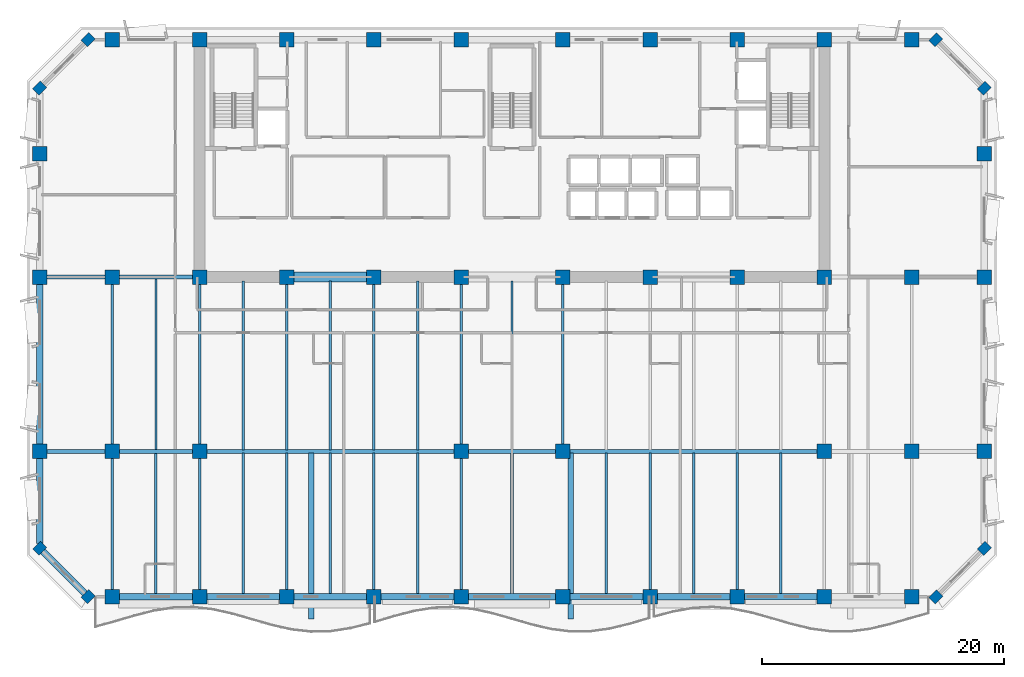
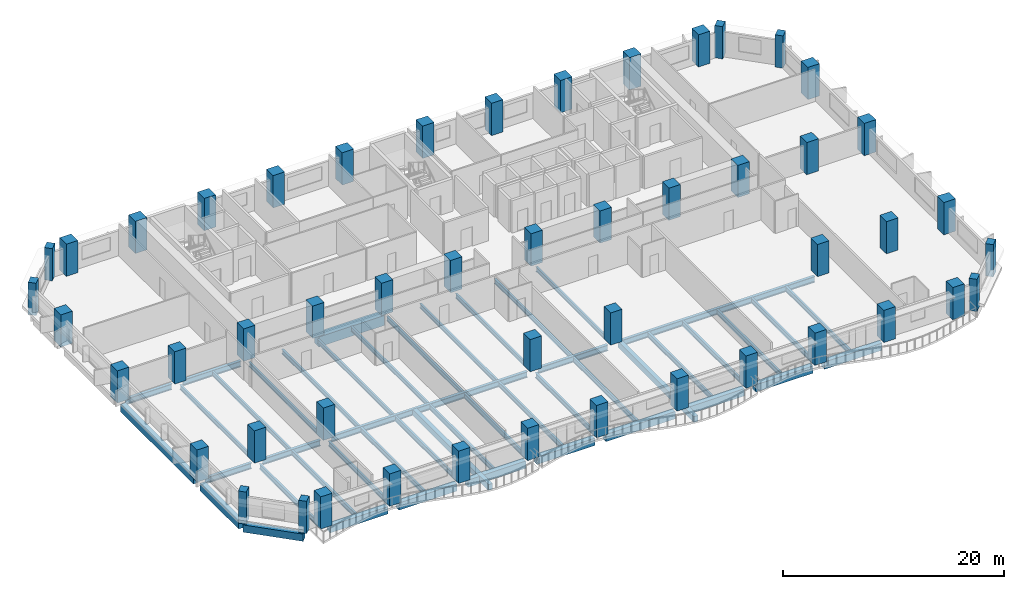
# One storey, part 1 of 14: 50 columns, 47 beams.
"""IFC4 building model written with IfcOpenShell, lengths in metres."""

from ifc_helpers import new_model, si_unit, direction, frame, origin, origin_2d, place, context, subcontext, project, spatial, rectangle, i_section, extrude, material, material_profile, profile_set, type_object, element, save


model = new_model("IFC4")

# Units and contexts
model_context = context("Model", 3, precision=1e-05, world=origin(), true_north=direction((0.0, 1.0)))
body_context = subcontext(model_context, "Body", "Model", "MODEL_VIEW")
ifc_project = project(units=[si_unit("LENGTHUNIT", "METRE"), si_unit("AREAUNIT", "SQUARE_METRE"), si_unit("VOLUMEUNIT", "CUBIC_METRE"), si_unit("PLANEANGLEUNIT", "RADIAN"), si_unit("MASSUNIT", "GRAM", prefix="KILO")], contexts=[model_context])

# Site, building, storey
site_placement = place(None, origin())
site = spatial("IfcSite", under=ifc_project, at=site_placement, CompositionType="ELEMENT")
building_placement = place(site_placement, origin())
building = spatial("IfcBuilding", under=site, at=building_placement, Name="Kaelvorn Grand Hotel", CompositionType="ELEMENT")
storey_placement = place(building_placement, frame((0.0, 0.0, 216.75)))
storey = spatial("IfcBuildingStorey", under=building, at=storey_placement, Name="L53", CompositionType="ELEMENT", Elevation=216.75)

# Columns
ifc_material_1 = material(Name="Concrete C60/75", Category="concrete")
ifc_material_profile_1 = material_profile(ifc_material_1, rectangle(XDim=0.89990234375, YDim=0.75, at=origin_2d()), Name="RC PILASTER 900x750")
ifc_profile_set_1 = profile_set([ifc_material_profile_1], Name="Concrete C60/75")
column_type_1 = type_object("IfcColumnType", Name="COL-PIL-900x750-C60", PredefinedType="PILASTER", material=ifc_profile_set_1)
for number, where, z_axis, x_axis, name in (
    (1, (7.0, 3.0, 0.0), (0.0, 0.0, 1.0), (0.707106781187, 0.707106781187, 0.0), "L53 Structural Column CH-01"),
    (2, (77.0, 3.0, 0.0), (0.0, 0.0, 1.0), (0.707106781187, 0.707106781187, 0.0), "L53 Structural Column CH-02"),
    (3, (81.0, 7.0, 0.0), (0.0, 0.0, 1.0), (0.707106781187, 0.707106781187, 0.0), "L53 Structural Column CH-03"),
    (4, (81.0, 45.0, 0.0), (0.0, 0.0, 1.0), (0.707106781187, 0.707106781187, 0.0), "L53 Structural Column CH-04"),
    (5, (77.0, 49.0, 0.0), (0.0, 0.0, 1.0), (0.707106781187, 0.707106781187, 0.0), "L53 Structural Column CH-05"),
    (6, (7.0, 49.0, 0.0), (0.0, 0.0, 1.0), (0.707106781187, 0.707106781187, 0.0), "L53 Structural Column CH-06"),
    (7, (3.0, 45.0, 0.0), (0.0, 0.0, 1.0), (0.707106781187, 0.707106781187, 0.0), "L53 Structural Column CH-07"),
    (8, (3.0, 7.0, 0.0), (0.0, 0.0, 1.0), (0.707106781187, 0.707106781187, 0.0), "L53 Structural Column CH-08"),
):
    element("IfcColumn", number, at=place(storey_placement, frame(where, z_axis=z_axis, x_axis=x_axis)), inside=storey, type_object=column_type_1, Name=name, PredefinedType="PILASTER", context=body_context, shape_type="SweptSolid", body=[
        extrude(rectangle(XDim=0.89990234375, YDim=0.75, at=origin_2d()), origin(), (0.0, 0.0, 1.0), 3.56005859375),
    ])
ifc_material_profile_2 = material_profile(ifc_material_1, rectangle(XDim=1.199951171875, YDim=1.199951171875, at=origin_2d()), Name="RC COL 1200x1200")
ifc_profile_set_2 = profile_set([ifc_material_profile_2], Name="Concrete C60/75")
column_type_2 = type_object("IfcColumnType", Name="COL-RC-1200-C60", PredefinedType="COLUMN", material=ifc_profile_set_2)
for number, where, z_axis, x_axis, name in (
    (9, (9.0, 3.0, 0.0), (0.0, 0.0, 1.0), (1.0, 0.0, 0.0), "L53 Structural Column S-01"),
    (10, (16.199951171875, 3.0, 0.0), (0.0, 0.0, 1.0), (1.0, 0.0, 0.0), "L53 Structural Column S-02"),
    (11, (23.39990234375, 3.0, 0.0), (0.0, 0.0, 1.0), (1.0, 0.0, 0.0), "L53 Structural Column S-03"),
    (12, (30.60009765625, 3.0, 0.0), (0.0, 0.0, 1.0), (1.0, 0.0, 0.0), "L53 Structural Column S-04"),
    (13, (37.800048828125, 3.0, 0.0), (0.0, 0.0, 1.0), (1.0, 0.0, 0.0), "L53 Structural Column S-05"),
    (14, (46.199951171875, 3.0, 0.0), (0.0, 0.0, 1.0), (1.0, 0.0, 0.0), "L53 Structural Column S-06"),
    (15, (53.39990234375, 3.0, 0.0), (0.0, 0.0, 1.0), (1.0, 0.0, 0.0), "L53 Structural Column S-07"),
    (16, (60.60009765625, 3.0, 0.0), (0.0, 0.0, 1.0), (1.0, 0.0, 0.0), "L53 Structural Column S-08"),
    (17, (67.800048828125, 3.0, 0.0), (0.0, 0.0, 1.0), (1.0, 0.0, 0.0), "L53 Structural Column S-09"),
    (18, (75.0, 3.0, 0.0), (0.0, 0.0, 1.0), (1.0, 0.0, 0.0), "L53 Structural Column S-10"),
    (19, (3.0, 15.0, 0.0), (0.0, 0.0, 1.0), (1.0, 0.0, 0.0), "L53 Structural Column W-01"),
    (20, (81.0, 15.0, 0.0), (0.0, 0.0, 1.0), (1.0, 0.0, 0.0), "L53 Structural Column E-01"),
    (21, (3.0, 29.39990234375, 0.0), (0.0, 0.0, 1.0), (1.0, 0.0, 0.0), "L53 Structural Column W-02"),
    (22, (81.0, 29.39990234375, 0.0), (0.0, 0.0, 1.0), (1.0, 0.0, 0.0), "L53 Structural Column E-02"),
    (23, (3.0, 39.60009765625, 0.0), (0.0, 0.0, 1.0), (1.0, 0.0, 0.0), "L53 Structural Column W-03"),
    (24, (81.0, 39.60009765625, 0.0), (0.0, 0.0, 1.0), (1.0, 0.0, 0.0), "L53 Structural Column E-03"),
    (25, (9.0, 15.0, 0.0), (0.0, 0.0, 1.0), (1.0, 0.0, 0.0), "L53 Structural Column M-01"),
    (26, (16.199951171875, 15.0, 0.0), (0.0, 0.0, 1.0), (1.0, 0.0, 0.0), "L53 Structural Column M-02"),
    (27, (37.800048828125, 15.0, 0.0), (0.0, 0.0, 1.0), (1.0, 0.0, 0.0), "L53 Structural Column M-03"),
    (28, (46.199951171875, 15.0, 0.0), (0.0, 0.0, 1.0), (1.0, 0.0, 0.0), "L53 Structural Column M-04"),
    (29, (67.800048828125, 15.0, 0.0), (0.0, 0.0, 1.0), (1.0, 0.0, 0.0), "L53 Structural Column M-05"),
    (30, (75.0, 15.0, 0.0), (0.0, 0.0, 1.0), (1.0, 0.0, 0.0), "L53 Structural Column M-06"),
    (31, (9.0, 29.39990234375, 0.0), (0.0, 0.0, 1.0), (1.0, 0.0, 0.0), "L53 Structural Column CR1-01"),
    (32, (9.0, 49.0, 0.0), (0.0, 0.0, 1.0), (1.0, 0.0, 0.0), "L53 Structural Column CR2-01"),
    (33, (16.199951171875, 29.39990234375, 0.0), (0.0, 0.0, 1.0), (1.0, 0.0, 0.0), "L53 Structural Column CR1-02"),
    (34, (16.199951171875, 49.0, 0.0), (0.0, 0.0, 1.0), (1.0, 0.0, 0.0), "L53 Structural Column CR2-02"),
    (35, (23.39990234375, 29.39990234375, 0.0), (0.0, 0.0, 1.0), (1.0, 0.0, 0.0), "L53 Structural Column CR1-03"),
    (36, (23.39990234375, 49.0, 0.0), (0.0, 0.0, 1.0), (1.0, 0.0, 0.0), "L53 Structural Column CR2-03"),
    (37, (30.60009765625, 29.39990234375, 0.0), (0.0, 0.0, 1.0), (1.0, 0.0, 0.0), "L53 Structural Column CR1-04"),
    (38, (30.60009765625, 49.0, 0.0), (0.0, 0.0, 1.0), (1.0, 0.0, 0.0), "L53 Structural Column CR2-04"),
    (39, (37.800048828125, 29.39990234375, 0.0), (0.0, 0.0, 1.0), (1.0, 0.0, 0.0), "L53 Structural Column CR1-05"),
    (40, (37.800048828125, 49.0, 0.0), (0.0, 0.0, 1.0), (1.0, 0.0, 0.0), "L53 Structural Column CR2-05"),
    (41, (46.199951171875, 29.39990234375, 0.0), (0.0, 0.0, 1.0), (1.0, 0.0, 0.0), "L53 Structural Column CR1-06"),
    (42, (46.199951171875, 49.0, 0.0), (0.0, 0.0, 1.0), (1.0, 0.0, 0.0), "L53 Structural Column CR2-06"),
    (43, (53.39990234375, 29.39990234375, 0.0), (0.0, 0.0, 1.0), (1.0, 0.0, 0.0), "L53 Structural Column CR1-07"),
    (44, (53.39990234375, 49.0, 0.0), (0.0, 0.0, 1.0), (1.0, 0.0, 0.0), "L53 Structural Column CR2-07"),
    (45, (60.60009765625, 29.39990234375, 0.0), (0.0, 0.0, 1.0), (1.0, 0.0, 0.0), "L53 Structural Column CR1-08"),
    (46, (60.60009765625, 49.0, 0.0), (0.0, 0.0, 1.0), (1.0, 0.0, 0.0), "L53 Structural Column CR2-08"),
    (47, (67.800048828125, 29.39990234375, 0.0), (0.0, 0.0, 1.0), (1.0, 0.0, 0.0), "L53 Structural Column CR1-09"),
    (48, (67.800048828125, 49.0, 0.0), (0.0, 0.0, 1.0), (1.0, 0.0, 0.0), "L53 Structural Column CR2-09"),
    (49, (75.0, 29.39990234375, 0.0), (0.0, 0.0, 1.0), (1.0, 0.0, 0.0), "L53 Structural Column CR1-10"),
    (50, (75.0, 49.0, 0.0), (0.0, 0.0, 1.0), (1.0, 0.0, 0.0), "L53 Structural Column CR2-10"),
):
    element("IfcColumn", number, at=place(storey_placement, frame(where, z_axis=z_axis, x_axis=x_axis)), inside=storey, type_object=column_type_2, Name=name, PredefinedType="COLUMN", context=body_context, shape_type="SweptSolid", body=[
        extrude(rectangle(XDim=1.199951171875, YDim=1.199951171875, at=origin_2d()), origin(), (0.0, 0.0, 1.0), 3.56005859375),
    ])

# Beams
ifc_material_2 = material(Name="Steel S355", Category="steel")
ifc_material_profile_3 = material_profile(ifc_material_2, i_section(OverallWidth=0.300048828125, OverallDepth=0.64990234375, WebThickness=0.01611328125, FlangeThickness=0.031005859375, FilletRadius=0.027099609375, at=origin_2d()), Name="HEB 650")
ifc_profile_set_3 = profile_set([ifc_material_profile_3], Name="Steel S355")
beam_type_1 = type_object("IfcBeamType", Name="BM-G-HEB650-S355", PredefinedType="BEAM", material=ifc_profile_set_3)
beam_1_placement = place(storey_placement, frame((3.5849609375, 15.0, -0.56494140625), z_axis=(1.0, 0.0, 0.0), x_axis=(0.0, 1.0, 0.0)))
element("IfcBeam", 51, at=beam_1_placement, inside=storey, type_object=beam_type_1, Name="L53 Primary Spine Steel Girder G-15 01", PredefinedType="BEAM", context=body_context, shape_type="SweptSolid", body=[
    extrude(i_section(OverallWidth=0.300048828125, OverallDepth=0.64990234375, WebThickness=0.01611328125, FlangeThickness=0.031005859375, FilletRadius=0.027099609375, at=origin_2d()), origin(), (0.0, 0.0, 1.0), 4.830078125),
])
beam_2_placement = place(storey_placement, frame((9.5849609375, 15.0, -0.56494140625), z_axis=(1.0, 0.0, 0.0), x_axis=(0.0, 1.0, 0.0)))
element("IfcBeam", 52, at=beam_2_placement, inside=storey, type_object=beam_type_1, Name="L53 Primary Spine Steel Girder G-15 02", PredefinedType="BEAM", context=body_context, shape_type="SweptSolid", body=[
    extrude(i_section(OverallWidth=0.300048828125, OverallDepth=0.64990234375, WebThickness=0.01611328125, FlangeThickness=0.031005859375, FilletRadius=0.027099609375, at=origin_2d()), origin(), (0.0, 0.0, 1.0), 6.030029296875),
])
beam_3_placement = place(storey_placement, frame((16.784912109375, 15.0, -0.56494140625), z_axis=(1.0, 0.0, 0.0), x_axis=(0.0, 1.0, 0.0)))
element("IfcBeam", 53, at=beam_3_placement, inside=storey, type_object=beam_type_1, Name="L53 Primary Spine Steel Girder G-15 03", PredefinedType="BEAM", context=body_context, shape_type="SweptSolid", body=[
    extrude(i_section(OverallWidth=0.300048828125, OverallDepth=0.64990234375, WebThickness=0.01611328125, FlangeThickness=0.031005859375, FilletRadius=0.027099609375, at=origin_2d()), origin(), (0.0, 0.0, 1.0), 20.43017578125),
])
beam_4_placement = place(storey_placement, frame((38.385009765625, 15.0, -0.56494140625), z_axis=(1.0, 0.0, 0.0), x_axis=(0.0, 1.0, 0.0)))
element("IfcBeam", 54, at=beam_4_placement, inside=storey, type_object=beam_type_1, Name="L53 Primary Spine Steel Girder G-15 04", PredefinedType="BEAM", context=body_context, shape_type="SweptSolid", body=[
    extrude(i_section(OverallWidth=0.300048828125, OverallDepth=0.64990234375, WebThickness=0.01611328125, FlangeThickness=0.031005859375, FilletRadius=0.027099609375, at=origin_2d()), origin(), (0.0, 0.0, 1.0), 7.22998046875),
])
beam_5_placement = place(storey_placement, frame((46.784912109375, 15.0, -0.56494140625), z_axis=(1.0, 0.0, 0.0), x_axis=(0.0, 1.0, 0.0)))
element("IfcBeam", 55, at=beam_5_placement, inside=storey, type_object=beam_type_1, Name="L53 Primary Spine Steel Girder G-15 05", PredefinedType="BEAM", context=body_context, shape_type="SweptSolid", body=[
    extrude(i_section(OverallWidth=0.300048828125, OverallDepth=0.64990234375, WebThickness=0.01611328125, FlangeThickness=0.031005859375, FilletRadius=0.027099609375, at=origin_2d()), origin(), (0.0, 0.0, 1.0), 20.43017578125),
])
beam_6_placement = place(storey_placement, frame((3.5849609375, 29.39990234375, -0.56494140625), z_axis=(1.0, 0.0, 0.0), x_axis=(0.0, 1.0, 0.0)))
element("IfcBeam", 56, at=beam_6_placement, inside=storey, type_object=beam_type_1, Name="L53 West Core Wing Steel Girder G-29W 01", PredefinedType="BEAM", context=body_context, shape_type="SweptSolid", body=[
    extrude(i_section(OverallWidth=0.300048828125, OverallDepth=0.64990234375, WebThickness=0.01611328125, FlangeThickness=0.031005859375, FilletRadius=0.027099609375, at=origin_2d()), origin(), (0.0, 0.0, 1.0), 4.830078125),
])
beam_7_placement = place(storey_placement, frame((9.5849609375, 29.39990234375, -0.56494140625), z_axis=(1.0, 0.0, 0.0), x_axis=(0.0, 1.0, 0.0)))
element("IfcBeam", 57, at=beam_7_placement, inside=storey, type_object=beam_type_1, Name="L53 West Core Wing Steel Girder G-29W 02", PredefinedType="BEAM", context=body_context, shape_type="SweptSolid", body=[
    extrude(i_section(OverallWidth=0.300048828125, OverallDepth=0.64990234375, WebThickness=0.01611328125, FlangeThickness=0.031005859375, FilletRadius=0.027099609375, at=origin_2d()), origin(), (0.0, 0.0, 1.0), 6.030029296875),
])
ifc_material_profile_4 = material_profile(ifc_material_2, i_section(OverallWidth=0.199951171875, OverallDepth=0.5, WebThickness=0.01025390625, FlangeThickness=0.01611328125, FilletRadius=0.02099609375, at=origin_2d()), Name="IPE 500")
ifc_profile_set_4 = profile_set([ifc_material_profile_4], Name="Steel S355")
beam_type_2 = type_object("IfcBeamType", Name="BM-J-IPE500-S355", PredefinedType="JOIST", material=ifc_profile_set_4)
beam_8_placement = place(storey_placement, frame((9.0, 15.5849609375, -0.489990234375), z_axis=(0.0, 1.0, 0.0), x_axis=(-1.0, 0.0, 0.0)))
element("IfcBeam", 58, at=beam_8_placement, inside=storey, type_object=beam_type_2, Name="L53 Composite Floor Joist JM-03", PredefinedType="JOIST", context=body_context, shape_type="SweptSolid", body=[
    extrude(i_section(OverallWidth=0.199951171875, OverallDepth=0.5, WebThickness=0.01025390625, FlangeThickness=0.01611328125, FilletRadius=0.02099609375, at=origin_2d()), origin(), (0.0, 0.0, 1.0), 13.22998046875),
])
beam_9_placement = place(storey_placement, frame((12.60009765625, 15.135009765625, -0.489990234375), z_axis=(0.0, 1.0, 0.0), x_axis=(-1.0, 0.0, 0.0)))
element("IfcBeam", 59, at=beam_9_placement, inside=storey, type_object=beam_type_2, Name="L53 Composite Floor Joist JM-04", PredefinedType="JOIST", context=body_context, shape_type="SweptSolid", body=[
    extrude(i_section(OverallWidth=0.199951171875, OverallDepth=0.5, WebThickness=0.01025390625, FlangeThickness=0.01611328125, FilletRadius=0.02099609375, at=origin_2d()), origin(), (0.0, 0.0, 1.0), 14.1298828125),
])
beam_10_placement = place(storey_placement, frame((16.199951171875, 15.5849609375, -0.489990234375), z_axis=(0.0, 1.0, 0.0), x_axis=(-1.0, 0.0, 0.0)))
element("IfcBeam", 60, at=beam_10_placement, inside=storey, type_object=beam_type_2, Name="L53 Composite Floor Joist JM-05", PredefinedType="JOIST", context=body_context, shape_type="SweptSolid", body=[
    extrude(i_section(OverallWidth=0.199951171875, OverallDepth=0.5, WebThickness=0.01025390625, FlangeThickness=0.01611328125, FilletRadius=0.02099609375, at=origin_2d()), origin(), (0.0, 0.0, 1.0), 13.22998046875),
])
beam_11_placement = place(storey_placement, frame((19.800048828125, 15.135009765625, -0.489990234375), z_axis=(0.0, 1.0, 0.0), x_axis=(-1.0, 0.0, 0.0)))
element("IfcBeam", 61, at=beam_11_placement, inside=storey, type_object=beam_type_2, Name="L53 Composite Floor Joist JM-06", PredefinedType="JOIST", context=body_context, shape_type="SweptSolid", body=[
    extrude(i_section(OverallWidth=0.199951171875, OverallDepth=0.5, WebThickness=0.01025390625, FlangeThickness=0.01611328125, FilletRadius=0.02099609375, at=origin_2d()), origin(), (0.0, 0.0, 1.0), 13.925048828125),
])
beam_12_placement = place(storey_placement, frame((23.39990234375, 15.135009765625, -0.489990234375), z_axis=(0.0, 1.0, 0.0), x_axis=(-1.0, 0.0, 0.0)))
element("IfcBeam", 62, at=beam_12_placement, inside=storey, type_object=beam_type_2, Name="L53 Composite Floor Joist JM-07", PredefinedType="JOIST", context=body_context, shape_type="SweptSolid", body=[
    extrude(i_section(OverallWidth=0.199951171875, OverallDepth=0.5, WebThickness=0.01025390625, FlangeThickness=0.01611328125, FilletRadius=0.02099609375, at=origin_2d()), origin(), (0.0, 0.0, 1.0), 13.679931640625),
])
beam_13_placement = place(storey_placement, frame((27.0, 15.135009765625, -0.489990234375), z_axis=(0.0, 1.0, 0.0), x_axis=(-1.0, 0.0, 0.0)))
element("IfcBeam", 63, at=beam_13_placement, inside=storey, type_object=beam_type_2, Name="L53 Composite Floor Joist JM-08", PredefinedType="JOIST", context=body_context, shape_type="SweptSolid", body=[
    extrude(i_section(OverallWidth=0.199951171875, OverallDepth=0.5, WebThickness=0.01025390625, FlangeThickness=0.01611328125, FilletRadius=0.02099609375, at=origin_2d()), origin(), (0.0, 0.0, 1.0), 13.925048828125),
])
beam_14_placement = place(storey_placement, frame((30.60009765625, 15.135009765625, -0.489990234375), z_axis=(0.0, 1.0, 0.0), x_axis=(-1.0, 0.0, 0.0)))
element("IfcBeam", 64, at=beam_14_placement, inside=storey, type_object=beam_type_2, Name="L53 Composite Floor Joist JM-09", PredefinedType="JOIST", context=body_context, shape_type="SweptSolid", body=[
    extrude(i_section(OverallWidth=0.199951171875, OverallDepth=0.5, WebThickness=0.01025390625, FlangeThickness=0.01611328125, FilletRadius=0.02099609375, at=origin_2d()), origin(), (0.0, 0.0, 1.0), 13.679931640625),
])
beam_15_placement = place(storey_placement, frame((34.199951171875, 15.135009765625, -0.489990234375), z_axis=(0.0, 1.0, 0.0), x_axis=(-1.0, 0.0, 0.0)))
element("IfcBeam", 65, at=beam_15_placement, inside=storey, type_object=beam_type_2, Name="L53 Composite Floor Joist JM-10", PredefinedType="JOIST", context=body_context, shape_type="SweptSolid", body=[
    extrude(i_section(OverallWidth=0.199951171875, OverallDepth=0.5, WebThickness=0.01025390625, FlangeThickness=0.01611328125, FilletRadius=0.02099609375, at=origin_2d()), origin(), (0.0, 0.0, 1.0), 13.925048828125),
])
beam_16_placement = place(storey_placement, frame((37.800048828125, 15.5849609375, -0.489990234375), z_axis=(0.0, 1.0, 0.0), x_axis=(-1.0, 0.0, 0.0)))
element("IfcBeam", 66, at=beam_16_placement, inside=storey, type_object=beam_type_2, Name="L53 Composite Floor Joist JM-11", PredefinedType="JOIST", context=body_context, shape_type="SweptSolid", body=[
    extrude(i_section(OverallWidth=0.199951171875, OverallDepth=0.5, WebThickness=0.01025390625, FlangeThickness=0.01611328125, FilletRadius=0.02099609375, at=origin_2d()), origin(), (0.0, 0.0, 1.0), 13.22998046875),
])
beam_17_placement = place(storey_placement, frame((42.0, 15.135009765625, -0.489990234375), z_axis=(0.0, 1.0, 0.0), x_axis=(-1.0, 0.0, 0.0)))
element("IfcBeam", 67, at=beam_17_placement, inside=storey, type_object=beam_type_2, Name="L53 Composite Floor Joist JM-12", PredefinedType="JOIST", context=body_context, shape_type="SweptSolid", body=[
    extrude(i_section(OverallWidth=0.199951171875, OverallDepth=0.5, WebThickness=0.01025390625, FlangeThickness=0.01611328125, FilletRadius=0.02099609375, at=origin_2d()), origin(), (0.0, 0.0, 1.0), 13.925048828125),
])
beam_18_placement = place(storey_placement, frame((46.199951171875, 15.5849609375, -0.489990234375), z_axis=(0.0, 1.0, 0.0), x_axis=(-1.0, 0.0, 0.0)))
element("IfcBeam", 68, at=beam_18_placement, inside=storey, type_object=beam_type_2, Name="L53 Composite Floor Joist JM-13", PredefinedType="JOIST", context=body_context, shape_type="SweptSolid", body=[
    extrude(i_section(OverallWidth=0.199951171875, OverallDepth=0.5, WebThickness=0.01025390625, FlangeThickness=0.01611328125, FilletRadius=0.02099609375, at=origin_2d()), origin(), (0.0, 0.0, 1.0), 13.22998046875),
])
ifc_material_profile_5 = material_profile(ifc_material_2, i_section(OverallWidth=0.2099609375, OverallDepth=0.550048828125, WebThickness=0.010986328125, FlangeThickness=0.01708984375, FilletRadius=0.02392578125, at=origin_2d()), Name="IPE 550")
ifc_profile_set_5 = profile_set([ifc_material_profile_5], Name="Steel S355")
beam_type_3 = type_object("IfcBeamType", Name="BM-J-IPE550-S355", PredefinedType="JOIST", material=ifc_profile_set_5)
beam_19_placement = place(storey_placement, frame((9.0, 3.5849609375, -0.514892578125), z_axis=(0.0, 1.0, 0.0), x_axis=(-1.0, 0.0, 0.0)))
element("IfcBeam", 69, at=beam_19_placement, inside=storey, type_object=beam_type_3, Name="L53 Composite Floor Joist JS-03", PredefinedType="JOIST", context=body_context, shape_type="SweptSolid", body=[
    extrude(i_section(OverallWidth=0.2099609375, OverallDepth=0.550048828125, WebThickness=0.010986328125, FlangeThickness=0.01708984375, FilletRadius=0.02392578125, at=origin_2d()), origin(), (0.0, 0.0, 1.0), 10.830078125),
])
beam_20_placement = place(storey_placement, frame((12.60009765625, 3.260009765625, -0.514892578125), z_axis=(0.0, 1.0, 0.0), x_axis=(-1.0, 0.0, 0.0)))
element("IfcBeam", 70, at=beam_20_placement, inside=storey, type_object=beam_type_3, Name="L53 Composite Floor Joist JS-04", PredefinedType="JOIST", context=body_context, shape_type="SweptSolid", body=[
    extrude(i_section(OverallWidth=0.2099609375, OverallDepth=0.550048828125, WebThickness=0.010986328125, FlangeThickness=0.01708984375, FilletRadius=0.02392578125, at=origin_2d()), origin(), (0.0, 0.0, 1.0), 11.60498046875),
])
beam_21_placement = place(storey_placement, frame((16.199951171875, 3.5849609375, -0.514892578125), z_axis=(0.0, 1.0, 0.0), x_axis=(-1.0, 0.0, 0.0)))
element("IfcBeam", 71, at=beam_21_placement, inside=storey, type_object=beam_type_3, Name="L53 Composite Floor Joist JS-05", PredefinedType="JOIST", context=body_context, shape_type="SweptSolid", body=[
    extrude(i_section(OverallWidth=0.2099609375, OverallDepth=0.550048828125, WebThickness=0.010986328125, FlangeThickness=0.01708984375, FilletRadius=0.02392578125, at=origin_2d()), origin(), (0.0, 0.0, 1.0), 10.830078125),
])
beam_22_placement = place(storey_placement, frame((19.800048828125, 3.260009765625, -0.514892578125), z_axis=(0.0, 1.0, 0.0), x_axis=(-1.0, 0.0, 0.0)))
element("IfcBeam", 72, at=beam_22_placement, inside=storey, type_object=beam_type_3, Name="L53 Composite Floor Joist JS-06", PredefinedType="JOIST", context=body_context, shape_type="SweptSolid", body=[
    extrude(i_section(OverallWidth=0.2099609375, OverallDepth=0.550048828125, WebThickness=0.010986328125, FlangeThickness=0.01708984375, FilletRadius=0.02392578125, at=origin_2d()), origin(), (0.0, 0.0, 1.0), 11.60498046875),
])
beam_23_placement = place(storey_placement, frame((23.39990234375, 3.5849609375, -0.514892578125), z_axis=(0.0, 1.0, 0.0), x_axis=(-1.0, 0.0, 0.0)))
element("IfcBeam", 73, at=beam_23_placement, inside=storey, type_object=beam_type_3, Name="L53 Composite Floor Joist JS-07", PredefinedType="JOIST", context=body_context, shape_type="SweptSolid", body=[
    extrude(i_section(OverallWidth=0.2099609375, OverallDepth=0.550048828125, WebThickness=0.010986328125, FlangeThickness=0.01708984375, FilletRadius=0.02392578125, at=origin_2d()), origin(), (0.0, 0.0, 1.0), 11.280029296875),
])
beam_24_placement = place(storey_placement, frame((27.0, 3.260009765625, -0.514892578125), z_axis=(0.0, 1.0, 0.0), x_axis=(-1.0, 0.0, 0.0)))
element("IfcBeam", 74, at=beam_24_placement, inside=storey, type_object=beam_type_3, Name="L53 Composite Floor Joist JS-08", PredefinedType="JOIST", context=body_context, shape_type="SweptSolid", body=[
    extrude(i_section(OverallWidth=0.2099609375, OverallDepth=0.550048828125, WebThickness=0.010986328125, FlangeThickness=0.01708984375, FilletRadius=0.02392578125, at=origin_2d()), origin(), (0.0, 0.0, 1.0), 11.60498046875),
])
beam_25_placement = place(storey_placement, frame((30.60009765625, 3.5849609375, -0.514892578125), z_axis=(0.0, 1.0, 0.0), x_axis=(-1.0, 0.0, 0.0)))
element("IfcBeam", 75, at=beam_25_placement, inside=storey, type_object=beam_type_3, Name="L53 Composite Floor Joist JS-09", PredefinedType="JOIST", context=body_context, shape_type="SweptSolid", body=[
    extrude(i_section(OverallWidth=0.2099609375, OverallDepth=0.550048828125, WebThickness=0.010986328125, FlangeThickness=0.01708984375, FilletRadius=0.02392578125, at=origin_2d()), origin(), (0.0, 0.0, 1.0), 11.280029296875),
])
beam_26_placement = place(storey_placement, frame((34.199951171875, 3.260009765625, -0.514892578125), z_axis=(0.0, 1.0, 0.0), x_axis=(-1.0, 0.0, 0.0)))
element("IfcBeam", 76, at=beam_26_placement, inside=storey, type_object=beam_type_3, Name="L53 Composite Floor Joist JS-10", PredefinedType="JOIST", context=body_context, shape_type="SweptSolid", body=[
    extrude(i_section(OverallWidth=0.2099609375, OverallDepth=0.550048828125, WebThickness=0.010986328125, FlangeThickness=0.01708984375, FilletRadius=0.02392578125, at=origin_2d()), origin(), (0.0, 0.0, 1.0), 11.60498046875),
])
beam_27_placement = place(storey_placement, frame((37.800048828125, 3.5849609375, -0.514892578125), z_axis=(0.0, 1.0, 0.0), x_axis=(-1.0, 0.0, 0.0)))
element("IfcBeam", 77, at=beam_27_placement, inside=storey, type_object=beam_type_3, Name="L53 Composite Floor Joist JS-11", PredefinedType="JOIST", context=body_context, shape_type="SweptSolid", body=[
    extrude(i_section(OverallWidth=0.2099609375, OverallDepth=0.550048828125, WebThickness=0.010986328125, FlangeThickness=0.01708984375, FilletRadius=0.02392578125, at=origin_2d()), origin(), (0.0, 0.0, 1.0), 10.830078125),
])
for number, where, z_axis, x_axis, name in (
    (78, (42.0, 3.260009765625, -0.514892578125), (0.0, 1.0, 0.0), (-1.0, 0.0, 0.0), "L53 Composite Floor Joist JS-12"),
    (79, (49.800048828125, 3.260009765625, -0.514892578125), (0.0, 1.0, 0.0), (-1.0, 0.0, 0.0), "L53 Composite Floor Joist JS-14"),
):
    element("IfcBeam", number, at=place(storey_placement, frame(where, z_axis=z_axis, x_axis=x_axis)), inside=storey, type_object=beam_type_3, Name=name, PredefinedType="JOIST", context=body_context, shape_type="SweptSolid", body=[
        extrude(i_section(OverallWidth=0.2099609375, OverallDepth=0.550048828125, WebThickness=0.010986328125, FlangeThickness=0.01708984375, FilletRadius=0.02392578125, at=origin_2d()), origin(), (0.0, 0.0, 1.0), 11.60498046875),
    ])
beam_28_placement = place(storey_placement, frame((53.39990234375, 3.5849609375, -0.514892578125), z_axis=(0.0, 1.0, 0.0), x_axis=(-1.0, 0.0, 0.0)))
element("IfcBeam", 80, at=beam_28_placement, inside=storey, type_object=beam_type_3, Name="L53 Composite Floor Joist JS-15", PredefinedType="JOIST", context=body_context, shape_type="SweptSolid", body=[
    extrude(i_section(OverallWidth=0.2099609375, OverallDepth=0.550048828125, WebThickness=0.010986328125, FlangeThickness=0.01708984375, FilletRadius=0.02392578125, at=origin_2d()), origin(), (0.0, 0.0, 1.0), 11.280029296875),
])
beam_29_placement = place(storey_placement, frame((57.0, 3.260009765625, -0.514892578125), z_axis=(0.0, 1.0, 0.0), x_axis=(-1.0, 0.0, 0.0)))
element("IfcBeam", 81, at=beam_29_placement, inside=storey, type_object=beam_type_3, Name="L53 Composite Floor Joist JS-16", PredefinedType="JOIST", context=body_context, shape_type="SweptSolid", body=[
    extrude(i_section(OverallWidth=0.2099609375, OverallDepth=0.550048828125, WebThickness=0.010986328125, FlangeThickness=0.01708984375, FilletRadius=0.02392578125, at=origin_2d()), origin(), (0.0, 0.0, 1.0), 11.60498046875),
])
beam_30_placement = place(storey_placement, frame((60.60009765625, 3.5849609375, -0.514892578125), z_axis=(0.0, 1.0, 0.0), x_axis=(-1.0, 0.0, 0.0)))
element("IfcBeam", 82, at=beam_30_placement, inside=storey, type_object=beam_type_3, Name="L53 Composite Floor Joist JS-17", PredefinedType="JOIST", context=body_context, shape_type="SweptSolid", body=[
    extrude(i_section(OverallWidth=0.2099609375, OverallDepth=0.550048828125, WebThickness=0.010986328125, FlangeThickness=0.01708984375, FilletRadius=0.02392578125, at=origin_2d()), origin(), (0.0, 0.0, 1.0), 11.280029296875),
])
beam_31_placement = place(storey_placement, frame((64.199951171875, 3.260009765625, -0.514892578125), z_axis=(0.0, 1.0, 0.0), x_axis=(-1.0, 0.0, 0.0)))
element("IfcBeam", 83, at=beam_31_placement, inside=storey, type_object=beam_type_3, Name="L53 Composite Floor Joist JS-18", PredefinedType="JOIST", context=body_context, shape_type="SweptSolid", body=[
    extrude(i_section(OverallWidth=0.2099609375, OverallDepth=0.550048828125, WebThickness=0.010986328125, FlangeThickness=0.01708984375, FilletRadius=0.02392578125, at=origin_2d()), origin(), (0.0, 0.0, 1.0), 11.60498046875),
])
ifc_material_profile_6 = material_profile(ifc_material_1, rectangle(XDim=0.800048828125, YDim=1.10009765625, at=origin_2d()), Name="RC LINTEL 800x1100")
ifc_profile_set_6 = profile_set([ifc_material_profile_6], Name="Concrete C60/75")
beam_type_4 = type_object("IfcBeamType", Name="BM-LIN-800x1100-C60", PredefinedType="LINTEL", material=ifc_profile_set_6)
beam_32_placement = place(storey_placement, frame((23.580078125, 29.39990234375, -0.7900390625), z_axis=(1.0, 0.0, 0.0), x_axis=(0.0, 1.0, 0.0)))
element("IfcBeam", 84, at=beam_32_placement, inside=storey, type_object=beam_type_4, Name="L53 Rear-Core Coupling Lintel Beam CB1-01", PredefinedType="LINTEL", context=body_context, shape_type="SweptSolid", body=[
    extrude(rectangle(XDim=0.800048828125, YDim=1.10009765625, at=origin_2d()), origin(), (0.0, 0.0, 1.0), 6.83984375),
])
ifc_material_3 = material(Name="Concrete C40/50", Category="concrete")
ifc_material_profile_7 = material_profile(ifc_material_3, rectangle(XDim=0.449951171875, YDim=0.64990234375, at=origin_2d()), Name="RC RIB 450x650")
ifc_profile_set_7 = profile_set([ifc_material_profile_7], Name="Concrete C40/50")
beam_type_5 = type_object("IfcBeamType", Name="BM-RIB-450x650-C40", PredefinedType="SPANDREL", material=ifc_profile_set_7)
for number, where, z_axis, x_axis, name in (
    (85, (25.409423828125, 1.14990234375, -0.544921875), (0.0, 1.0, 0.0), (-1.0, 0.0, 0.0), "L53 Cantilevered Balcony Back-Span Rib RB1-1"),
    (86, (46.857177734375, 1.14990234375, -0.544921875), (0.0, 1.0, 0.0), (-1.0, 0.0, 0.0), "L53 Cantilevered Balcony Back-Span Rib RB1-2"),
):
    element("IfcBeam", number, at=place(storey_placement, frame(where, z_axis=z_axis, x_axis=x_axis)), inside=storey, type_object=beam_type_5, Name=name, PredefinedType="SPANDREL", context=body_context, shape_type="SweptSolid", body=[
        extrude(rectangle(XDim=0.449951171875, YDim=0.64990234375, at=origin_2d()), origin(), (0.0, 0.0, 1.0), 13.715087890625),
    ])
ifc_material_4 = material(Name="Concrete C50/60", Category="concrete")
ifc_material_profile_8 = material_profile(ifc_material_4, rectangle(XDim=0.550048828125, YDim=0.800048828125, at=origin_2d()), Name="RC SPANDREL 550x800")
ifc_profile_set_8 = profile_set([ifc_material_profile_8], Name="Concrete C50/60")
beam_type_6 = type_object("IfcBeamType", Name="BM-SP-550x800-C50", PredefinedType="SPANDREL", material=ifc_profile_set_8)
for number, where, z_axis, x_axis, name in (
    (87, (9.5849609375, 3.0, -0.639892578125), (1.0, 0.0, 0.0), (0.0, 1.0, 0.0), "L53 South Perimeter Spandrel 02"),
    (88, (16.784912109375, 3.0, -0.639892578125), (1.0, 0.0, 0.0), (0.0, 1.0, 0.0), "L53 South Perimeter Spandrel 03"),
):
    element("IfcBeam", number, at=place(storey_placement, frame(where, z_axis=z_axis, x_axis=x_axis)), inside=storey, type_object=beam_type_6, Name=name, PredefinedType="SPANDREL", context=body_context, shape_type="SweptSolid", body=[
        extrude(rectangle(XDim=0.550048828125, YDim=0.800048828125, at=origin_2d()), origin(), (0.0, 0.0, 1.0), 6.030029296875),
    ])
beam_33_placement = place(storey_placement, frame((23.985107421875, 3.0, -0.639892578125), z_axis=(1.0, 0.0, 0.0), x_axis=(0.0, 1.0, 0.0)))
element("IfcBeam", 89, at=beam_33_placement, inside=storey, type_object=beam_type_6, Name="L53 South Perimeter Spandrel 04", PredefinedType="SPANDREL", context=body_context, shape_type="SweptSolid", body=[
    extrude(rectangle(XDim=0.550048828125, YDim=0.800048828125, at=origin_2d()), origin(), (0.0, 0.0, 1.0), 6.02978515625),
])
beam_34_placement = place(storey_placement, frame((31.18505859375, 3.0, -0.639892578125), z_axis=(1.0, 0.0, 0.0), x_axis=(0.0, 1.0, 0.0)))
element("IfcBeam", 90, at=beam_34_placement, inside=storey, type_object=beam_type_6, Name="L53 South Perimeter Spandrel 05", PredefinedType="SPANDREL", context=body_context, shape_type="SweptSolid", body=[
    extrude(rectangle(XDim=0.550048828125, YDim=0.800048828125, at=origin_2d()), origin(), (0.0, 0.0, 1.0), 6.030029296875),
])
beam_35_placement = place(storey_placement, frame((38.385009765625, 3.0, -0.639892578125), z_axis=(1.0, 0.0, 0.0), x_axis=(0.0, 1.0, 0.0)))
element("IfcBeam", 91, at=beam_35_placement, inside=storey, type_object=beam_type_6, Name="L53 South Perimeter Spandrel 06", PredefinedType="SPANDREL", context=body_context, shape_type="SweptSolid", body=[
    extrude(rectangle(XDim=0.550048828125, YDim=0.800048828125, at=origin_2d()), origin(), (0.0, 0.0, 1.0), 7.22998046875),
])
beam_36_placement = place(storey_placement, frame((46.784912109375, 3.0, -0.639892578125), z_axis=(1.0, 0.0, 0.0), x_axis=(0.0, 1.0, 0.0)))
element("IfcBeam", 92, at=beam_36_placement, inside=storey, type_object=beam_type_6, Name="L53 South Perimeter Spandrel 07", PredefinedType="SPANDREL", context=body_context, shape_type="SweptSolid", body=[
    extrude(rectangle(XDim=0.550048828125, YDim=0.800048828125, at=origin_2d()), origin(), (0.0, 0.0, 1.0), 6.030029296875),
])
beam_37_placement = place(storey_placement, frame((53.985107421875, 3.0, -0.639892578125), z_axis=(1.0, 0.0, 0.0), x_axis=(0.0, 1.0, 0.0)))
element("IfcBeam", 93, at=beam_37_placement, inside=storey, type_object=beam_type_6, Name="L53 South Perimeter Spandrel 08", PredefinedType="SPANDREL", context=body_context, shape_type="SweptSolid", body=[
    extrude(rectangle(XDim=0.550048828125, YDim=0.800048828125, at=origin_2d()), origin(), (0.0, 0.0, 1.0), 6.02978515625),
])
beam_38_placement = place(storey_placement, frame((61.18505859375, 3.0, -0.639892578125), z_axis=(1.0, 0.0, 0.0), x_axis=(0.0, 1.0, 0.0)))
element("IfcBeam", 94, at=beam_38_placement, inside=storey, type_object=beam_type_6, Name="L53 South Perimeter Spandrel 09", PredefinedType="SPANDREL", context=body_context, shape_type="SweptSolid", body=[
    extrude(rectangle(XDim=0.550048828125, YDim=0.800048828125, at=origin_2d()), origin(), (0.0, 0.0, 1.0), 6.030029296875),
])
beam_39_placement = place(storey_placement, frame((3.0, 7.405029296875, -0.639892578125), z_axis=(0.0, 1.0, 0.0), x_axis=(-1.0, 0.0, 0.0)))
element("IfcBeam", 95, at=beam_39_placement, inside=storey, type_object=beam_type_6, Name="L53 West Perimeter Spandrel 01", PredefinedType="SPANDREL", context=body_context, shape_type="SweptSolid", body=[
    extrude(rectangle(XDim=0.550048828125, YDim=0.800048828125, at=origin_2d()), origin(), (0.0, 0.0, 1.0), 7.010009765625),
])
beam_40_placement = place(storey_placement, frame((3.0, 15.5849609375, -0.639892578125), z_axis=(0.0, 1.0, 0.0), x_axis=(-1.0, 0.0, 0.0)))
element("IfcBeam", 96, at=beam_40_placement, inside=storey, type_object=beam_type_6, Name="L53 West Perimeter Spandrel 02", PredefinedType="SPANDREL", context=body_context, shape_type="SweptSolid", body=[
    extrude(rectangle(XDim=0.550048828125, YDim=0.800048828125, at=origin_2d()), origin(), (0.0, 0.0, 1.0), 13.22998046875),
])
beam_41_placement = place(storey_placement, frame((3.0, 7.0, -0.639892578125), z_axis=(0.707106781187, -0.707106781187, 0.0), x_axis=(0.707106781187, 0.707106781187, 0.0)))
element("IfcBeam", 97, at=beam_41_placement, inside=storey, type_object=beam_type_6, Name="L53 Chamfer Spandrel Beam 4", PredefinedType="SPANDREL", context=body_context, shape_type="SweptSolid", body=[
    extrude(rectangle(XDim=0.550048828125, YDim=0.800048828125, at=origin_2d()), origin(), (0.0, 0.0, 1.0), 5.65673828125),
])

save(model, "model.ifc")
